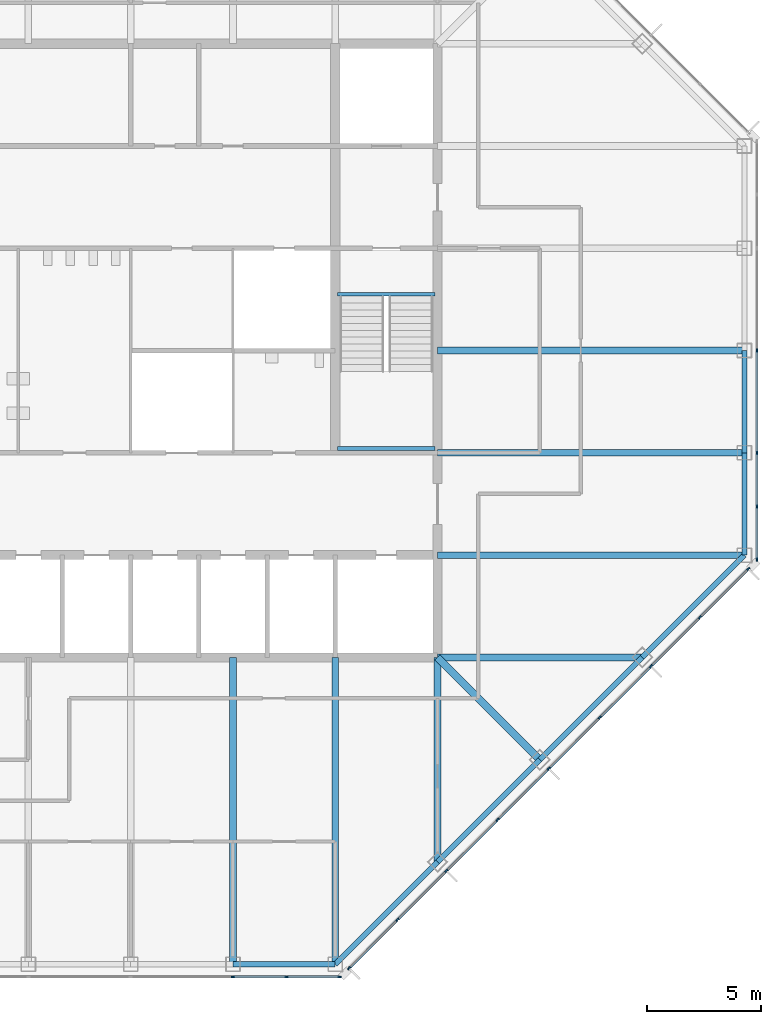
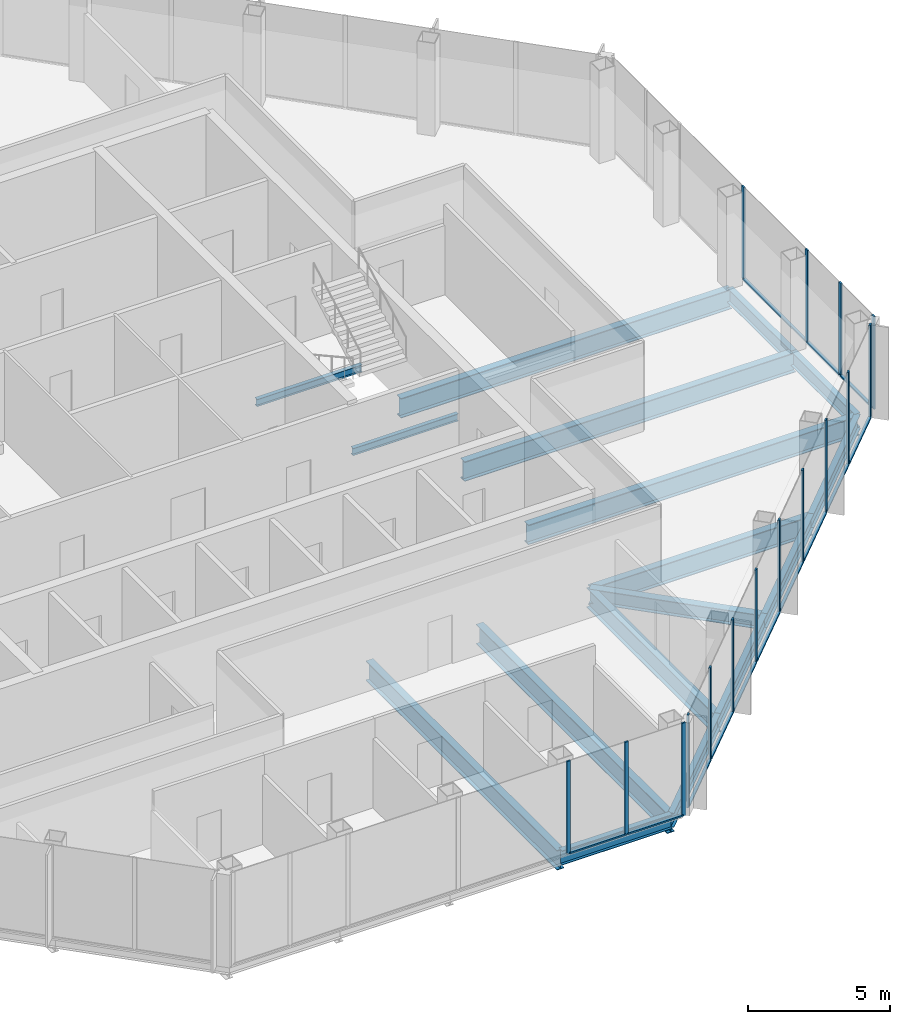
# One storey, part 4 of 13: 29 members, 17 beams, 3 elements without a shape of their own.
"""IFC4 building model written with IfcOpenShell, lengths in metres."""

from ifc_helpers import new_model, si_unit, direction, frame, origin, origin_2d, place, context, subcontext, project, spatial, rectangle, i_section, extrude, material, material_profile, profile_set, type_object, element, aggregate, save


model = new_model("IFC4")

# Units and contexts
model_context = context("Model", 3, precision=1e-05, world=origin(), true_north=direction((0.0, 1.0)))
body_context = subcontext(model_context, "Body", "Model", "MODEL_VIEW")
ifc_project = project(units=[si_unit("LENGTHUNIT", "METRE"), si_unit("AREAUNIT", "SQUARE_METRE"), si_unit("VOLUMEUNIT", "CUBIC_METRE"), si_unit("PLANEANGLEUNIT", "RADIAN"), si_unit("MASSUNIT", "GRAM", prefix="KILO")], contexts=[model_context])

# Site, building, storey
site_placement = place(None, origin())
site = spatial("IfcSite", under=ifc_project, at=site_placement, CompositionType="ELEMENT")
building_placement = place(site_placement, origin())
building = spatial("IfcBuilding", under=site, at=building_placement, Name="Corais Broadcast Tower", CompositionType="ELEMENT")
storey_placement = place(building_placement, frame((0.0, 0.0, 222.60009765625)))
storey = spatial("IfcBuildingStorey", under=building, at=storey_placement, Name="L51", CompositionType="ELEMENT", Elevation=222.60009765625)

# Beams
ifc_material_1 = material(Name="Steel ASTM A572 Grade 50", Category="steel")
ifc_material_profile_1 = material_profile(ifc_material_1, i_section(OverallWidth=0.323974609375, OverallDepth=0.611083984375, WebThickness=0.0126953125, FlangeThickness=0.01904296875, at=origin_2d()), Name="W610x155")
ifc_profile_set_1 = profile_set([ifc_material_profile_1], Name="Steel ASTM A572 Grade 50")
beam_type_1 = type_object("IfcBeamType", Name="Corner diagonal W610x155", PredefinedType="BEAM", material=ifc_profile_set_1)
beam_1_placement = place(storey_placement, frame((45.0, 9.0, -0.465576171875), z_axis=(-0.707106781187, 0.707106781187, 0.0), x_axis=(-0.707106781187, -0.707106781187, 0.0)))
element("IfcBeam", 1, at=beam_1_placement, inside=storey, type_object=beam_type_1, Name="B6 C/13 to D/12", PredefinedType="BEAM", context=body_context, shape_type="SweptSolid", body=[
    extrude(i_section(OverallWidth=0.323974609375, OverallDepth=0.611083984375, WebThickness=0.0126953125, FlangeThickness=0.01904296875, at=origin_2d()), origin(), (0.0, 0.0, 1.0), 6.364013671875),
])
ifc_material_2 = material(Name="Steel ASTM A572 Grade 50", Category="steel")
ifc_material_profile_2 = material_profile(ifc_material_2, i_section(OverallWidth=0.2939453125, OverallDepth=0.85107421875, WebThickness=0.01611328125, FlangeThickness=0.02685546875, at=origin_2d()), Name="W840x226")
ifc_profile_set_2 = profile_set([ifc_material_profile_2], Name="Steel ASTM A572 Grade 50")
beam_type_2 = type_object("IfcBeamType", Name="Floor beam W840x226", PredefinedType="BEAM", material=ifc_profile_set_2)
for number, where, z_axis, x_axis, name in (
    (2, (31.5, 0.0, -0.585693359375), (0.0, 1.0, 0.0), (-1.0, 0.0, 0.0), "B1 A/10 to D/10"),
    (3, (36.0, 0.0, -0.585693359375), (0.0, 1.0, 0.0), (-1.0, 0.0, 0.0), "B1 A/11 to D/11"),
):
    element("IfcBeam", number, at=place(storey_placement, frame(where, z_axis=z_axis, x_axis=x_axis)), inside=storey, type_object=beam_type_2, Name=name, PredefinedType="BEAM", context=body_context, shape_type="SweptSolid", body=[
        extrude(i_section(OverallWidth=0.2939453125, OverallDepth=0.85107421875, WebThickness=0.01611328125, FlangeThickness=0.02685546875, at=origin_2d()), origin(), (0.0, 0.0, 1.0), 13.5),
    ])
for number, where, z_axis, x_axis, name in (
    (4, (40.5, 4.5, -0.585693359375), (0.0, 1.0, 0.0), (-1.0, 0.0, 0.0), "B1 B/12 to D/12"),
    (5, (49.5, 13.5, -0.585693359375), (-1.0, 0.0, 0.0), (0.0, -1.0, 0.0), "B1 D/14 to D/12"),
):
    element("IfcBeam", number, at=place(storey_placement, frame(where, z_axis=z_axis, x_axis=x_axis)), inside=storey, type_object=beam_type_2, Name=name, PredefinedType="BEAM", context=body_context, shape_type="SweptSolid", body=[
        extrude(i_section(OverallWidth=0.2939453125, OverallDepth=0.85107421875, WebThickness=0.01611328125, FlangeThickness=0.02685546875, at=origin_2d()), origin(), (0.0, 0.0, 1.0), 9.0),
    ])
for number, where, z_axis, x_axis, name in (
    (6, (54.0, 18.0, -0.585693359375), (-1.0, 0.0, 0.0), (0.0, -1.0, 0.0), "B1 E/15 to E/12"),
    (7, (54.0, 22.5, -0.585693359375), (-1.0, 0.0, 0.0), (0.0, -1.0, 0.0), "B1 F/15 to F/12"),
    (8, (54.0, 27.0, -0.585693359375), (-1.0, 0.0, 0.0), (0.0, -1.0, 0.0), "B1 G/15 to G/12"),
):
    element("IfcBeam", number, at=place(storey_placement, frame(where, z_axis=z_axis, x_axis=x_axis)), inside=storey, type_object=beam_type_2, Name=name, PredefinedType="BEAM", context=body_context, shape_type="SweptSolid", body=[
        extrude(i_section(OverallWidth=0.2939453125, OverallDepth=0.85107421875, WebThickness=0.01611328125, FlangeThickness=0.02685546875, at=origin_2d()), origin(), (0.0, 0.0, 1.0), 13.5),
    ])
ifc_material_3 = material(Name="Steel ASTM A572 Grade 50", Category="steel")
ifc_material_profile_3 = material_profile(ifc_material_3, i_section(OverallWidth=0.1650390625, OverallDepth=0.31005859375, WebThickness=0.005859375, FlangeThickness=0.009765625, at=origin_2d()), Name="W310x38.7")
ifc_profile_set_3 = profile_set([ifc_material_profile_3], Name="Steel ASTM A572 Grade 50")
beam_type_3 = type_object("IfcBeamType", Name="Landing trimmer W310x38.7", PredefinedType="BEAM", material=ifc_profile_set_3)
for number, where, z_axis, x_axis, name in (
    (9, (36.10009765625, 29.47509765625, -0.35498046875), (1.0, 0.0, 0.0), (0.0, 1.0, 0.0), "LT1 stair B landing trimmer L51"),
    (10, (36.10009765625, 22.68994140625, 1.64501953125), (1.0, 0.0, 0.0), (0.0, 1.0, 0.0), "LT1 stair B half landing trimmer L51"),
):
    element("IfcBeam", number, at=place(storey_placement, frame(where, z_axis=z_axis, x_axis=x_axis)), inside=storey, type_object=beam_type_3, Name=name, PredefinedType="BEAM", context=body_context, shape_type="SweptSolid", body=[
        extrude(i_section(OverallWidth=0.1650390625, OverallDepth=0.31005859375, WebThickness=0.005859375, FlangeThickness=0.009765625, at=origin_2d()), origin(), (0.0, 0.0, 1.0), 4.2998046875),
    ])

# Curtain wall, members
ifc_material_4 = material(Name="Aluminium and glass", Category="aluminium")
curtain_wall_type = type_object("IfcCurtainWallType", Name="Unitised fritted curtain wall CW3", PredefinedType="NOTDEFINED", material=ifc_material_4)
curtain_wall_1_placement = place(storey_placement, origin())
curtain_wall_1 = element("IfcCurtainWall", 11, at=curtain_wall_1_placement, inside=storey, type_object=curtain_wall_type, Name="CW3 curtain wall L51 6", PredefinedType="NOTDEFINED")
ifc_material_5 = material(Name="Aluminium 6063-T6", Category="aluminium")
ifc_material_profile_4 = material_profile(ifc_material_5, rectangle(XDim=0.06494140625, YDim=0.159912109375, at=origin_2d()), Name="Mullion CW3 65x160")
ifc_profile_set_4 = profile_set([ifc_material_profile_4], Name="Aluminium 6063-T6")
member_type_1 = type_object("IfcMemberType", Name="Mullion CW3 65x160", PredefinedType="MULLION", material=ifc_profile_set_4)
member_1_placement = place(storey_placement, frame((54.550048828125, 27.0, 0.0), z_axis=(0.0, 0.0, 1.0), x_axis=(1.0, 0.0, 0.0)))
member_1 = element("IfcMember", 12, at=member_1_placement, type_object=member_type_1, Name="CW3 mullion 4", PredefinedType="MULLION", context=body_context, shape_type="SweptSolid", body=[
    extrude(rectangle(XDim=0.06494140625, YDim=0.159912109375, at=origin_2d()), origin(), (0.0, 0.0, 1.0), 4.0),
])
member_2_placement = place(storey_placement, frame((54.550048828125, 22.5, 0.0), z_axis=(0.0, 0.0, 1.0), x_axis=(1.0, 0.0, 0.0)))
member_2 = element("IfcMember", 13, at=member_2_placement, type_object=member_type_1, Name="CW3 mullion 5", PredefinedType="MULLION", context=body_context, shape_type="SweptSolid", body=[
    extrude(rectangle(XDim=0.06494140625, YDim=0.159912109375, at=origin_2d()), origin(), (0.0, 0.0, 1.0), 4.0),
])
member_3_placement = place(storey_placement, frame((54.550048828125, 20.135986328125, 0.0), z_axis=(0.0, 0.0, 1.0), x_axis=(1.0, 0.0, 0.0)))
member_3 = element("IfcMember", 14, at=member_3_placement, type_object=member_type_1, Name="CW3 mullion 6", PredefinedType="MULLION", context=body_context, shape_type="SweptSolid", body=[
    extrude(rectangle(XDim=0.06494140625, YDim=0.159912109375, at=origin_2d()), origin(), (0.0, 0.0, 1.0), 4.0),
])
member_4_placement = place(storey_placement, frame((54.550048828125, 17.8046875, 0.0), z_axis=(0.0, 0.0, 1.0), x_axis=(1.0, 0.0, 0.0)))
member_4 = element("IfcMember", 15, at=member_4_placement, type_object=member_type_1, Name="CW3 mullion 7", PredefinedType="MULLION", context=body_context, shape_type="SweptSolid", body=[
    extrude(rectangle(XDim=0.06494140625, YDim=0.159912109375, at=origin_2d()), origin(), (0.0, 0.0, 1.0), 4.0),
])

curtain_wall_2_placement = place(storey_placement, origin())
curtain_wall_2 = element("IfcCurtainWall", 16, at=curtain_wall_2_placement, inside=storey, type_object=curtain_wall_type, Name="CW3 curtain wall L51 7", PredefinedType="NOTDEFINED")
member_5_placement = place(storey_placement, frame((54.17333984375, 17.3955078125, 0.0), z_axis=(0.0, 0.0, 1.0), x_axis=(0.707106781187, -0.707106781187, 0.0)))
member_5 = element("IfcMember", 17, at=member_5_placement, type_object=member_type_1, Name="CW3 mullion 1", PredefinedType="MULLION", context=body_context, shape_type="SweptSolid", body=[
    extrude(rectangle(XDim=0.06494140625, YDim=0.159912109375, at=origin_2d()), origin(), (0.0, 0.0, 1.0), 4.0),
])
member_6_placement = place(storey_placement, frame((52.042724609375, 15.264892578125, 0.0), z_axis=(0.0, 0.0, 1.0), x_axis=(0.707106781187, -0.707106781187, 0.0)))
member_6 = element("IfcMember", 18, at=member_6_placement, type_object=member_type_1, Name="CW3 mullion 2", PredefinedType="MULLION", context=body_context, shape_type="SweptSolid", body=[
    extrude(rectangle(XDim=0.06494140625, YDim=0.159912109375, at=origin_2d()), origin(), (0.0, 0.0, 1.0), 4.0),
])
member_7_placement = place(storey_placement, frame((49.888916015625, 13.111083984375, 0.0), z_axis=(0.0, 0.0, 1.0), x_axis=(0.707106781187, -0.707106781187, 0.0)))
member_7 = element("IfcMember", 19, at=member_7_placement, type_object=member_type_1, Name="CW3 mullion 3", PredefinedType="MULLION", context=body_context, shape_type="SweptSolid", body=[
    extrude(rectangle(XDim=0.06494140625, YDim=0.159912109375, at=origin_2d()), origin(), (0.0, 0.0, 1.0), 4.0),
])
member_8_placement = place(storey_placement, frame((47.638916015625, 10.861083984375, 0.0), z_axis=(0.0, 0.0, 1.0), x_axis=(0.707106781187, -0.707106781187, 0.0)))
member_8 = element("IfcMember", 20, at=member_8_placement, type_object=member_type_1, Name="CW3 mullion 4", PredefinedType="MULLION", context=body_context, shape_type="SweptSolid", body=[
    extrude(rectangle(XDim=0.06494140625, YDim=0.159912109375, at=origin_2d()), origin(), (0.0, 0.0, 1.0), 4.0),
])
member_9_placement = place(storey_placement, frame((45.388916015625, 8.611083984375, 0.0), z_axis=(0.0, 0.0, 1.0), x_axis=(0.707106781187, -0.707106781187, 0.0)))
member_9 = element("IfcMember", 21, at=member_9_placement, type_object=member_type_1, Name="CW3 mullion 5", PredefinedType="MULLION", context=body_context, shape_type="SweptSolid", body=[
    extrude(rectangle(XDim=0.06494140625, YDim=0.159912109375, at=origin_2d()), origin(), (0.0, 0.0, 1.0), 4.0),
])
member_10_placement = place(storey_placement, frame((43.138916015625, 6.361083984375, 0.0), z_axis=(0.0, 0.0, 1.0), x_axis=(0.707106781187, -0.707106781187, 0.0)))
member_10 = element("IfcMember", 22, at=member_10_placement, type_object=member_type_1, Name="CW3 mullion 6", PredefinedType="MULLION", context=body_context, shape_type="SweptSolid", body=[
    extrude(rectangle(XDim=0.06494140625, YDim=0.159912109375, at=origin_2d()), origin(), (0.0, 0.0, 1.0), 4.0),
])
member_11_placement = place(storey_placement, frame((40.888916015625, 4.111083984375, 0.0), z_axis=(0.0, 0.0, 1.0), x_axis=(0.707106781187, -0.707106781187, 0.0)))
member_11 = element("IfcMember", 23, at=member_11_placement, type_object=member_type_1, Name="CW3 mullion 7", PredefinedType="MULLION", context=body_context, shape_type="SweptSolid", body=[
    extrude(rectangle(XDim=0.06494140625, YDim=0.159912109375, at=origin_2d()), origin(), (0.0, 0.0, 1.0), 4.0),
])
member_12_placement = place(storey_placement, frame((38.735107421875, 1.957275390625, 0.0), z_axis=(0.0, 0.0, 1.0), x_axis=(0.707106781187, -0.707106781187, 0.0)))
member_12 = element("IfcMember", 24, at=member_12_placement, type_object=member_type_1, Name="CW3 mullion 8", PredefinedType="MULLION", context=body_context, shape_type="SweptSolid", body=[
    extrude(rectangle(XDim=0.06494140625, YDim=0.159912109375, at=origin_2d()), origin(), (0.0, 0.0, 1.0), 4.0),
])
member_13_placement = place(storey_placement, frame((36.6044921875, -0.17333984375, 0.0), z_axis=(0.0, 0.0, 1.0), x_axis=(0.707106781187, -0.707106781187, 0.0)))
member_13 = element("IfcMember", 25, at=member_13_placement, type_object=member_type_1, Name="CW3 mullion 9", PredefinedType="MULLION", context=body_context, shape_type="SweptSolid", body=[
    extrude(rectangle(XDim=0.06494140625, YDim=0.159912109375, at=origin_2d()), origin(), (0.0, 0.0, 1.0), 4.0),
])

curtain_wall_3_placement = place(storey_placement, origin())
curtain_wall_3 = element("IfcCurtainWall", 26, at=curtain_wall_3_placement, inside=storey, type_object=curtain_wall_type, Name="CW3 curtain wall L51 8", PredefinedType="NOTDEFINED")
member_14_placement = place(storey_placement, frame((36.1953125, -0.550048828125, 0.0), z_axis=(0.0, 0.0, 1.0), x_axis=(0.0, -1.0, 0.0)))
member_14 = element("IfcMember", 27, at=member_14_placement, type_object=member_type_1, Name="CW3 mullion 1", PredefinedType="MULLION", context=body_context, shape_type="SweptSolid", body=[
    extrude(rectangle(XDim=0.06494140625, YDim=0.159912109375, at=origin_2d()), origin(), (0.0, 0.0, 1.0), 4.0),
])
member_15_placement = place(storey_placement, frame((33.864013671875, -0.550048828125, 0.0), z_axis=(0.0, 0.0, 1.0), x_axis=(0.0, -1.0, 0.0)))
member_15 = element("IfcMember", 28, at=member_15_placement, type_object=member_type_1, Name="CW3 mullion 2", PredefinedType="MULLION", context=body_context, shape_type="SweptSolid", body=[
    extrude(rectangle(XDim=0.06494140625, YDim=0.159912109375, at=origin_2d()), origin(), (0.0, 0.0, 1.0), 4.0),
])
member_16_placement = place(storey_placement, frame((31.5, -0.550048828125, 0.0), z_axis=(0.0, 0.0, 1.0), x_axis=(0.0, -1.0, 0.0)))
member_16 = element("IfcMember", 29, at=member_16_placement, type_object=member_type_1, Name="CW3 mullion 3", PredefinedType="MULLION", context=body_context, shape_type="SweptSolid", body=[
    extrude(rectangle(XDim=0.06494140625, YDim=0.159912109375, at=origin_2d()), origin(), (0.0, 0.0, 1.0), 4.0),
])

# Beams
ifc_material_6 = material(Name="Steel ASTM A572 Grade 50", Category="steel")
ifc_material_profile_5 = material_profile(ifc_material_6, i_section(OverallWidth=0.22998046875, OverallDepth=0.616943359375, WebThickness=0.01318359375, FlangeThickness=0.022216796875, at=origin_2d()), Name="W610x140")
ifc_profile_set_5 = profile_set([ifc_material_profile_5], Name="Steel ASTM A572 Grade 50")
beam_type_4 = type_object("IfcBeamType", Name="Spandrel W610x140", PredefinedType="BEAM", material=ifc_profile_set_5)
beam_2_placement = place(storey_placement, frame((31.5, 0.0, -0.468505859375), z_axis=(1.0, 0.0, 0.0), x_axis=(0.0, 1.0, 0.0)))
element("IfcBeam", 30, at=beam_2_placement, inside=storey, type_object=beam_type_4, Name="SB3 A/10 to A/11", PredefinedType="BEAM", context=body_context, shape_type="SweptSolid", body=[
    extrude(i_section(OverallWidth=0.22998046875, OverallDepth=0.616943359375, WebThickness=0.01318359375, FlangeThickness=0.022216796875, at=origin_2d()), origin(), (0.0, 0.0, 1.0), 4.5),
])
for number, where, z_axis, x_axis, name in (
    (31, (36.0, 0.0, -0.468505859375), (0.707106781187, 0.707106781187, 0.0), (-0.707106781187, 0.707106781187, 0.0), "SB3 A/11 to B/12"),
    (32, (40.5, 4.5, -0.468505859375), (0.707106781187, 0.707106781187, 0.0), (-0.707106781187, 0.707106781187, 0.0), "SB3 B/12 to C/13"),
    (33, (45.0, 9.0, -0.468505859375), (0.707106781187, 0.707106781187, 0.0), (-0.707106781187, 0.707106781187, 0.0), "SB3 C/13 to D/14"),
    (34, (49.5, 13.5, -0.468505859375), (0.707106781187, 0.707106781187, 0.0), (-0.707106781187, 0.707106781187, 0.0), "SB3 D/14 to E/15"),
):
    element("IfcBeam", number, at=place(storey_placement, frame(where, z_axis=z_axis, x_axis=x_axis)), inside=storey, type_object=beam_type_4, Name=name, PredefinedType="BEAM", context=body_context, shape_type="SweptSolid", body=[
        extrude(i_section(OverallWidth=0.22998046875, OverallDepth=0.616943359375, WebThickness=0.01318359375, FlangeThickness=0.022216796875, at=origin_2d()), origin(), (0.0, 0.0, 1.0), 6.364013671875),
    ])
for number, where, z_axis, x_axis, name in (
    (35, (54.0, 18.0, -0.468505859375), (0.0, 1.0, 0.0), (-1.0, 0.0, 0.0), "SB3 E/15 to F/15"),
    (36, (54.0, 22.5, -0.468505859375), (0.0, 1.0, 0.0), (-1.0, 0.0, 0.0), "SB3 F/15 to G/15"),
):
    element("IfcBeam", number, at=place(storey_placement, frame(where, z_axis=z_axis, x_axis=x_axis)), inside=storey, type_object=beam_type_4, Name=name, PredefinedType="BEAM", context=body_context, shape_type="SweptSolid", body=[
        extrude(i_section(OverallWidth=0.22998046875, OverallDepth=0.616943359375, WebThickness=0.01318359375, FlangeThickness=0.022216796875, at=origin_2d()), origin(), (0.0, 0.0, 1.0), 4.5),
    ])

# Member
ifc_material_7 = material(Name="Aluminium 6063-T6", Category="aluminium")
ifc_material_profile_6 = material_profile(ifc_material_7, rectangle(XDim=0.1201171875, YDim=0.06494140625, at=origin_2d()), Name="Transom CW3 65x120")
ifc_profile_set_6 = profile_set([ifc_material_profile_6], Name="Aluminium 6063-T6")
member_type_2 = type_object("IfcMemberType", Name="Transom CW3 65x120", PredefinedType="USERDEFINED", material=ifc_profile_set_6)
member_17_placement = place(storey_placement, frame((54.550048828125, 26.967529296875, 0.032470703125), z_axis=(0.0, -1.0, 0.0), x_axis=(1.0, 0.0, 0.0)))
member_17 = element("IfcMember", 37, at=member_17_placement, type_object=member_type_2, Name="CW3 transom 4.1", ObjectType="TRANSOM", PredefinedType="USERDEFINED", context=body_context, shape_type="SweptSolid", body=[
    extrude(rectangle(XDim=0.1201171875, YDim=0.06494140625, at=origin_2d()), origin(), (0.0, 0.0, 1.0), 4.43505859375),
])

member_18_placement = place(storey_placement, frame((54.550048828125, 22.467529296875, 0.032470703125), z_axis=(0.0, -1.0, 0.0), x_axis=(1.0, 0.0, 0.0)))
member_18 = element("IfcMember", 38, at=member_18_placement, type_object=member_type_2, Name="CW3 transom 5.1", ObjectType="TRANSOM", PredefinedType="USERDEFINED", context=body_context, shape_type="SweptSolid", body=[
    extrude(rectangle(XDim=0.1201171875, YDim=0.06494140625, at=origin_2d()), origin(), (0.0, 0.0, 1.0), 2.298828125),
])

member_19_placement = place(storey_placement, frame((54.550048828125, 20.103515625, 0.032470703125), z_axis=(0.0, -1.0, 0.0), x_axis=(1.0, 0.0, 0.0)))
member_19 = element("IfcMember", 39, at=member_19_placement, type_object=member_type_2, Name="CW3 transom 6.1", ObjectType="TRANSOM", PredefinedType="USERDEFINED", context=body_context, shape_type="SweptSolid", body=[
    extrude(rectangle(XDim=0.1201171875, YDim=0.06494140625, at=origin_2d()), origin(), (0.0, 0.0, 1.0), 2.266357421875),
])

aggregate(curtain_wall_1, [member_1, member_2, member_3, member_4, member_17, member_18, member_19])

member_20_placement = place(storey_placement, frame((54.150390625, 17.37255859375, 0.032470703125), z_axis=(-0.707106781187, -0.707106781187, 0.0), x_axis=(0.707106781187, -0.707106781187, 0.0)))
member_20 = element("IfcMember", 40, at=member_20_placement, type_object=member_type_2, Name="CW3 transom 1.1", ObjectType="TRANSOM", PredefinedType="USERDEFINED", context=body_context, shape_type="SweptSolid", body=[
    extrude(rectangle(XDim=0.1201171875, YDim=0.06494140625, at=origin_2d()), origin(), (0.0, 0.0, 1.0), 2.9482421875),
])

member_21_placement = place(storey_placement, frame((52.019775390625, 15.241943359375, 0.032470703125), z_axis=(-0.707106781187, -0.707106781187, 0.0), x_axis=(0.707106781187, -0.707106781187, 0.0)))
member_21 = element("IfcMember", 41, at=member_21_placement, type_object=member_type_2, Name="CW3 transom 2.1", ObjectType="TRANSOM", PredefinedType="USERDEFINED", context=body_context, shape_type="SweptSolid", body=[
    extrude(rectangle(XDim=0.1201171875, YDim=0.06494140625, at=origin_2d()), origin(), (0.0, 0.0, 1.0), 2.98095703125),
])

member_22_placement = place(storey_placement, frame((49.865966796875, 13.088134765625, 0.032470703125), z_axis=(-0.707106781187, -0.707106781187, 0.0), x_axis=(0.707106781187, -0.707106781187, 0.0)))
member_22 = element("IfcMember", 42, at=member_22_placement, type_object=member_type_2, Name="CW3 transom 3.1", ObjectType="TRANSOM", PredefinedType="USERDEFINED", context=body_context, shape_type="SweptSolid", body=[
    extrude(rectangle(XDim=0.1201171875, YDim=0.06494140625, at=origin_2d()), origin(), (0.0, 0.0, 1.0), 3.1171875),
])

member_23_placement = place(storey_placement, frame((47.615966796875, 10.838134765625, 0.032470703125), z_axis=(-0.707106781187, -0.707106781187, 0.0), x_axis=(0.707106781187, -0.707106781187, 0.0)))
member_23 = element("IfcMember", 43, at=member_23_placement, type_object=member_type_2, Name="CW3 transom 4.1", ObjectType="TRANSOM", PredefinedType="USERDEFINED", context=body_context, shape_type="SweptSolid", body=[
    extrude(rectangle(XDim=0.1201171875, YDim=0.06494140625, at=origin_2d()), origin(), (0.0, 0.0, 1.0), 3.1171875),
])

member_24_placement = place(storey_placement, frame((45.365966796875, 8.588134765625, 0.032470703125), z_axis=(-0.707106781187, -0.707106781187, 0.0), x_axis=(0.707106781187, -0.707106781187, 0.0)))
member_24 = element("IfcMember", 44, at=member_24_placement, type_object=member_type_2, Name="CW3 transom 5.1", ObjectType="TRANSOM", PredefinedType="USERDEFINED", context=body_context, shape_type="SweptSolid", body=[
    extrude(rectangle(XDim=0.1201171875, YDim=0.06494140625, at=origin_2d()), origin(), (0.0, 0.0, 1.0), 3.1171875),
])

member_25_placement = place(storey_placement, frame((43.115966796875, 6.338134765625, 0.032470703125), z_axis=(-0.707106781187, -0.707106781187, 0.0), x_axis=(0.707106781187, -0.707106781187, 0.0)))
member_25 = element("IfcMember", 45, at=member_25_placement, type_object=member_type_2, Name="CW3 transom 6.1", ObjectType="TRANSOM", PredefinedType="USERDEFINED", context=body_context, shape_type="SweptSolid", body=[
    extrude(rectangle(XDim=0.1201171875, YDim=0.06494140625, at=origin_2d()), origin(), (0.0, 0.0, 1.0), 3.1171875),
])

member_26_placement = place(storey_placement, frame((40.865966796875, 4.088134765625, 0.032470703125), z_axis=(-0.70714773134, -0.707065828661, 0.0), x_axis=(0.707065828661, -0.70714773134, 0.0)))
member_26 = element("IfcMember", 46, at=member_26_placement, type_object=member_type_2, Name="CW3 transom 7.1", ObjectType="TRANSOM", PredefinedType="USERDEFINED", context=body_context, shape_type="SweptSolid", body=[
    extrude(rectangle(XDim=0.1201171875, YDim=0.06494140625, at=origin_2d()), origin(), (0.0, 0.0, 1.0), 2.98095703125),
])

member_27_placement = place(storey_placement, frame((38.712158203125, 1.934326171875, 0.032470703125), z_axis=(-0.707106781187, -0.707106781187, 0.0), x_axis=(0.707106781187, -0.707106781187, 0.0)))
member_27 = element("IfcMember", 47, at=member_27_placement, type_object=member_type_2, Name="CW3 transom 8.1", ObjectType="TRANSOM", PredefinedType="USERDEFINED", context=body_context, shape_type="SweptSolid", body=[
    extrude(rectangle(XDim=0.1201171875, YDim=0.06494140625, at=origin_2d()), origin(), (0.0, 0.0, 1.0), 2.9482421875),
])

aggregate(curtain_wall_2, [member_5, member_6, member_7, member_8, member_9, member_10, member_11, member_12, member_13, member_20, member_21, member_22, member_23, member_24, member_25, member_26, member_27])

member_28_placement = place(storey_placement, frame((36.162841796875, -0.550048828125, 0.032470703125), z_axis=(-1.0, 0.0, 0.0), x_axis=(0.0, -1.0, 0.0)))
member_28 = element("IfcMember", 48, at=member_28_placement, type_object=member_type_2, Name="CW3 transom 1.1", ObjectType="TRANSOM", PredefinedType="USERDEFINED", context=body_context, shape_type="SweptSolid", body=[
    extrude(rectangle(XDim=0.1201171875, YDim=0.06494140625, at=origin_2d()), origin(), (0.0, 0.0, 1.0), 2.266357421875),
])

member_29_placement = place(storey_placement, frame((33.831298828125, -0.550048828125, 0.032470703125), z_axis=(-1.0, 0.0, 0.0), x_axis=(0.0, -1.0, 0.0)))
member_29 = element("IfcMember", 49, at=member_29_placement, type_object=member_type_2, Name="CW3 transom 2.1", ObjectType="TRANSOM", PredefinedType="USERDEFINED", context=body_context, shape_type="SweptSolid", body=[
    extrude(rectangle(XDim=0.1201171875, YDim=0.06494140625, at=origin_2d()), origin(), (0.0, 0.0, 1.0), 2.298828125),
])

aggregate(curtain_wall_3, [member_14, member_15, member_16, member_28, member_29])

save(model, "model.ifc")
